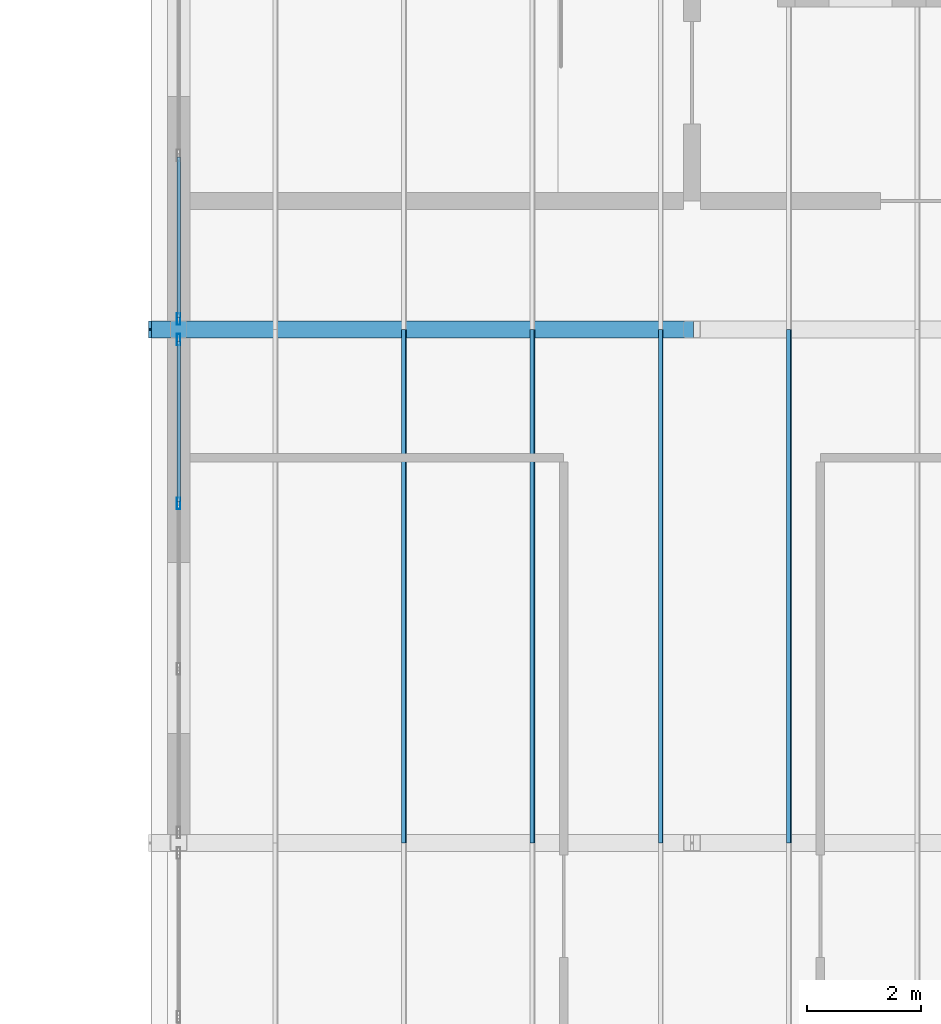
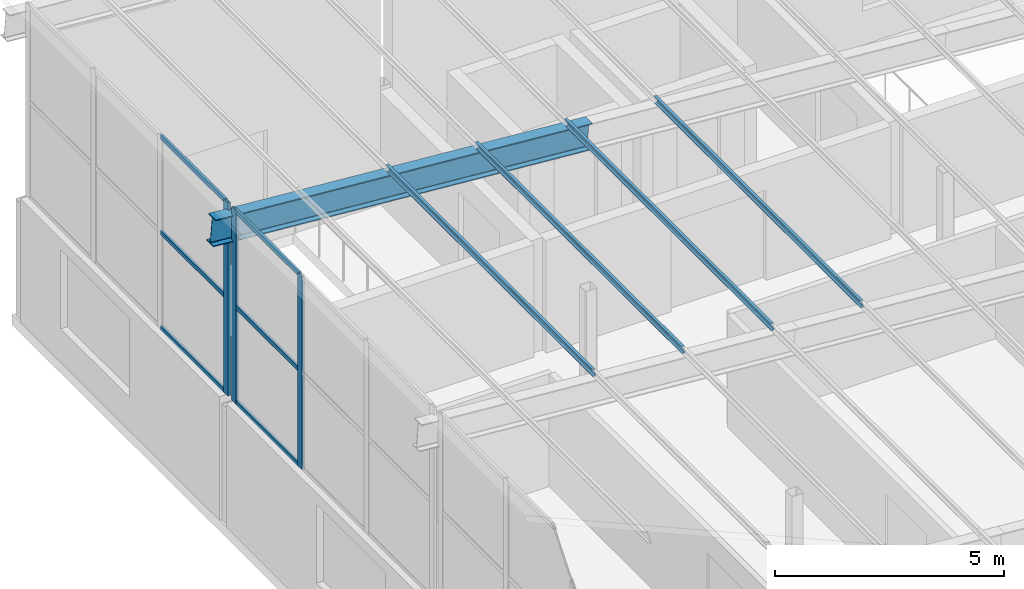
# One storey, part 51 of 85: 14 members, 2 elements without a shape of their own.
"""IFC4 building model written with IfcOpenShell, lengths in metres."""

from ifc_helpers import new_model, si_unit, direction, frame, origin, origin_2d, place, context, subcontext, project, spatial, polyline, hollow_rectangle, i_section, outline, extrude, material, layer, layer_set, material_profile, profile_set, type_object, element, aggregate, save


model = new_model("IFC4")

# Units and contexts
model_context = context("Model", 3, precision=1e-05, world=origin(), true_north=direction((0.0, 1.0)))
body_context = subcontext(model_context, "Body", "Model", "MODEL_VIEW")
ifc_project = project(units=[si_unit("LENGTHUNIT", "METRE"), si_unit("AREAUNIT", "SQUARE_METRE"), si_unit("VOLUMEUNIT", "CUBIC_METRE"), si_unit("PLANEANGLEUNIT", "RADIAN"), si_unit("MASSUNIT", "GRAM", prefix="KILO")], contexts=[model_context])

# Site, building, storey
site_placement = place(None, origin())
site = spatial("IfcSite", under=ifc_project, at=site_placement, CompositionType="ELEMENT")
building_placement = place(site_placement, origin())
building = spatial("IfcBuilding", under=site, at=building_placement, Name="Opaline Strait Convention Centre", CompositionType="ELEMENT")
storey_placement = place(building_placement, frame((0.0, 0.0, 17.0)))
storey = spatial("IfcBuildingStorey", under=building, at=storey_placement, Name="L03", CompositionType="ELEMENT", Elevation=17.0)

# Curtain wall, members
ifc_material_1 = material(Name="Aluminium framed double glazing", Category="aluminium")
ifc_layer = layer(ifc_material_1, 0.199951171875)
ifc_layer_set = layer_set([ifc_layer], Name="Aluminium framed double glazing")
curtain_wall_type = type_object("IfcCurtainWallType", Name="Curtain wall 3000 module unitised", PredefinedType="NOTDEFINED", material=ifc_layer_set)
curtain_wall_1_placement = place(storey_placement, origin())
curtain_wall_1 = element("IfcCurtainWall", 1, at=curtain_wall_1_placement, inside=storey, type_object=curtain_wall_type, Name="Clerestory curtain wall W L03 32/U", PredefinedType="NOTDEFINED")
ifc_material_2 = material(Name="Aluminium alloy 6063", Category="aluminium")
ifc_material_profile_1 = material_profile(ifc_material_2, hollow_rectangle(XDim=0.06005859375, YDim=0.199951171875, WallThickness=0.00390625, at=origin_2d()), Name="MULLION 60x200x4")
ifc_profile_set_1 = profile_set([ifc_material_profile_1], Name="Aluminium alloy 6063")
member_type_1 = type_object("IfcMemberType", Name="Curtain wall mullion 60 x 200", PredefinedType="MULLION", material=ifc_profile_set_1)
member_1_placement = place(storey_placement, frame((279.0, 167.949951171875, 3.300048828125), z_axis=(0.0, 0.0, 1.0), x_axis=(-1.0, 0.0, 0.0)))
member_1 = element("IfcMember", 2, at=member_1_placement, type_object=member_type_1, Name="MCWR1 mullion 3", PredefinedType="MULLION", context=body_context, shape_type="SweptSolid", body=[
    extrude(hollow_rectangle(XDim=0.06005859375, YDim=0.199951171875, WallThickness=0.00390625, at=origin_2d()), origin(), (0.0, 0.0, 1.0), 5.144287109375),
])
member_2_placement = place(storey_placement, frame((279.0, 170.820068359375, 3.300048828125), z_axis=(0.0, 0.0, 1.0), x_axis=(-1.0, 0.0, 0.0)))
member_2 = element("IfcMember", 3, at=member_2_placement, type_object=member_type_1, Name="MCWR1 mullion 4", PredefinedType="MULLION", context=body_context, shape_type="SweptSolid", body=[
    extrude(hollow_rectangle(XDim=0.06005859375, YDim=0.199951171875, WallThickness=0.00390625, at=origin_2d()), origin(), (0.0, 0.0, 1.0), 5.144287109375),
])

# Curtain wall, member
curtain_wall_2_placement = place(storey_placement, origin())
curtain_wall_2 = element("IfcCurtainWall", 4, at=curtain_wall_2_placement, inside=storey, type_object=curtain_wall_type, Name="Clerestory curtain wall W L03 32/V", PredefinedType="NOTDEFINED")
member_3_placement = place(storey_placement, frame((279.0, 171.179931640625, 3.300048828125), z_axis=(0.0, 0.0, 1.0), x_axis=(-1.0, 0.0, 0.0)))
member_3 = element("IfcMember", 5, at=member_3_placement, type_object=member_type_1, Name="MCWR1 mullion 1", PredefinedType="MULLION", context=body_context, shape_type="SweptSolid", body=[
    extrude(hollow_rectangle(XDim=0.06005859375, YDim=0.199951171875, WallThickness=0.00390625, at=origin_2d()), origin(), (0.0, 0.0, 1.0), 5.144287109375),
])

# Member
ifc_material_profile_2 = material_profile(ifc_material_2, hollow_rectangle(XDim=0.06005859375, YDim=0.1201171875, WallThickness=0.0029296875, at=origin_2d()), Name="TRANSOM 60x120x3")
ifc_profile_set_2 = profile_set([ifc_material_profile_2], Name="Aluminium alloy 6063")
member_type_2 = type_object("IfcMemberType", Name="Curtain wall transom 60 x 120", PredefinedType="USERDEFINED", material=ifc_profile_set_2)
member_4_placement = place(storey_placement, frame((279.0, 167.97998046875, 3.330078125), z_axis=(0.0, 1.0, 0.0), x_axis=(-1.0, 0.0, 0.0)))
member_4 = element("IfcMember", 6, at=member_4_placement, type_object=member_type_2, Name="MCWR1 transom 3.1", ObjectType="TRANSOM", PredefinedType="USERDEFINED", context=body_context, shape_type="SweptSolid", body=[
    extrude(hollow_rectangle(XDim=0.06005859375, YDim=0.1201171875, WallThickness=0.0029296875, at=origin_2d()), origin(), (0.0, 0.0, 1.0), 2.81005859375),
])

member_5_placement = place(storey_placement, frame((279.0, 167.97998046875, 5.872314453125), z_axis=(0.0, 1.0, 0.0), x_axis=(-1.0, 0.0, 0.0)))
member_5 = element("IfcMember", 7, at=member_5_placement, type_object=member_type_2, Name="MCWR1 transom 3.2", ObjectType="TRANSOM", PredefinedType="USERDEFINED", context=body_context, shape_type="SweptSolid", body=[
    extrude(hollow_rectangle(XDim=0.06005859375, YDim=0.1201171875, WallThickness=0.0029296875, at=origin_2d()), origin(), (0.0, 0.0, 1.0), 2.81005859375),
])

member_6_placement = place(storey_placement, frame((279.0, 167.97998046875, 8.414306640625), z_axis=(0.0, 1.0, 0.0), x_axis=(-1.0, 0.0, 0.0)))
member_6 = element("IfcMember", 8, at=member_6_placement, type_object=member_type_2, Name="MCWR1 transom 3.3", ObjectType="TRANSOM", PredefinedType="USERDEFINED", context=body_context, shape_type="SweptSolid", body=[
    extrude(hollow_rectangle(XDim=0.06005859375, YDim=0.1201171875, WallThickness=0.0029296875, at=origin_2d()), origin(), (0.0, 0.0, 1.0), 2.81005859375),
])

aggregate(curtain_wall_1, [member_1, member_2, member_4, member_5, member_6])

member_7_placement = place(storey_placement, frame((279.0, 171.2099609375, 3.330078125), z_axis=(0.0, 1.0, 0.0), x_axis=(-1.0, 0.0, 0.0)))
member_7 = element("IfcMember", 9, at=member_7_placement, type_object=member_type_2, Name="MCWR1 transom 1.1", ObjectType="TRANSOM", PredefinedType="USERDEFINED", context=body_context, shape_type="SweptSolid", body=[
    extrude(hollow_rectangle(XDim=0.06005859375, YDim=0.1201171875, WallThickness=0.0029296875, at=origin_2d()), origin(), (0.0, 0.0, 1.0), 2.81005859375),
])

member_8_placement = place(storey_placement, frame((279.0, 171.2099609375, 5.872314453125), z_axis=(0.0, 1.0, 0.0), x_axis=(-1.0, 0.0, 0.0)))
member_8 = element("IfcMember", 10, at=member_8_placement, type_object=member_type_2, Name="MCWR1 transom 1.2", ObjectType="TRANSOM", PredefinedType="USERDEFINED", context=body_context, shape_type="SweptSolid", body=[
    extrude(hollow_rectangle(XDim=0.06005859375, YDim=0.1201171875, WallThickness=0.0029296875, at=origin_2d()), origin(), (0.0, 0.0, 1.0), 2.81005859375),
])

member_9_placement = place(storey_placement, frame((279.0, 171.2099609375, 8.414306640625), z_axis=(0.0, 1.0, 0.0), x_axis=(-1.0, 0.0, 0.0)))
member_9 = element("IfcMember", 11, at=member_9_placement, type_object=member_type_2, Name="MCWR1 transom 1.3", ObjectType="TRANSOM", PredefinedType="USERDEFINED", context=body_context, shape_type="SweptSolid", body=[
    extrude(hollow_rectangle(XDim=0.06005859375, YDim=0.1201171875, WallThickness=0.0029296875, at=origin_2d()), origin(), (0.0, 0.0, 1.0), 2.81005859375),
])

aggregate(curtain_wall_2, [member_3, member_7, member_8, member_9])

# Members
ifc_material_3 = material(Name="Steel Q355B", Category="steel")
ifc_material_profile_3 = material_profile(ifc_material_3, outline(polyline([(-0.034912109375, -0.10009765625), (0.034912109375, -0.10009765625), (0.034912109375, -0.080078125), (0.032470703125, -0.080078125), (0.032470703125, -0.097412109375), (-0.032470703125, -0.097412109375), (-0.032470703125, 0.097412109375), (0.032470703125, 0.097412109375), (0.032470703125, 0.080078125), (0.034912109375, 0.080078125), (0.034912109375, 0.10009765625), (-0.034912109375, 0.10009765625), (-0.034912109375, -0.10009765625)])), Name="C 200x70x20x2.5")
ifc_profile_set_3 = profile_set([ifc_material_profile_3], Name="Steel Q355B")
member_type_3 = type_object("IfcMemberType", Name="Roof purlin C 200x70x20x2.5", PredefinedType="PURLIN", material=ifc_profile_set_3)
for number, where, z_axis, x_axis, name in (
    (12, (289.699951171875, 162.0, 7.501953125), (0.0, 1.0, 0.0), (-0.996917333733, 0.0, -0.078459095728), "MRP1 purlin W wing 169"),
    (13, (287.449951171875, 162.0, 7.678955078125), (0.0, 1.0, 0.0), (-0.996917333733, 0.0, -0.078459095728), "MRP1 purlin W wing 179"),
    (14, (285.199951171875, 162.0, 7.856201171875), (0.0, 1.0, 0.0), (-0.996917333733, 0.0, -0.078459095728), "MRP1 purlin W wing 189"),
    (15, (282.949951171875, 162.0, 8.033203125), (0.0, 1.0, 0.0), (-0.996917333733, 0.0, -0.078459095728), "MRP1 purlin W wing 199"),
):
    element("IfcMember", number, at=place(storey_placement, frame(where, z_axis=z_axis, x_axis=x_axis)), inside=storey, type_object=member_type_3, Name=name, PredefinedType="PURLIN", context=body_context, shape_type="SweptSolid", body=[
        extrude(outline(polyline([(-0.034912109375, -0.10009765625), (0.034912109375, -0.10009765625), (0.034912109375, -0.080078125), (0.032470703125, -0.080078125), (0.032470703125, -0.097412109375), (-0.032470703125, -0.097412109375), (-0.032470703125, 0.097412109375), (0.032470703125, 0.097412109375), (0.032470703125, 0.080078125), (0.034912109375, 0.080078125), (0.034912109375, 0.10009765625), (-0.034912109375, 0.10009765625), (-0.034912109375, -0.10009765625)])), origin(), (0.0, 0.0, 1.0), 9.0),
    ])
ifc_material_profile_4 = material_profile(ifc_material_3, i_section(OverallWidth=0.300048828125, OverallDepth=0.699951171875, WebThickness=0.012939453125, FlangeThickness=0.02392578125, FilletRadius=0.01806640625, at=origin_2d()), Name="HN 700x300x13x24")
ifc_profile_set_4 = profile_set([ifc_material_profile_4], Name="Steel Q355B")
member_type_4 = type_object("IfcMemberType", Name="Roof rafter HN 700x300x13x24", PredefinedType="RAFTER", material=ifc_profile_set_4)
member_10_placement = place(storey_placement, frame((278.5, 171.0, 7.93212890625), z_axis=(0.996916213079, 0.0, -0.078473333693), x_axis=(0.0, 1.0, 0.0)))
element("IfcMember", 16, at=member_10_placement, inside=storey, type_object=member_type_4, Name="MRR1 rafter y 171", PredefinedType="RAFTER", context=body_context, shape_type="SweptSolid", body=[
    extrude(i_section(OverallWidth=0.300048828125, OverallDepth=0.699951171875, WebThickness=0.012939453125, FlangeThickness=0.02392578125, FilletRadius=0.01806640625, at=origin_2d()), origin(), (0.0, 0.0, 1.0), 9.529296875),
])

save(model, "model.ifc")
